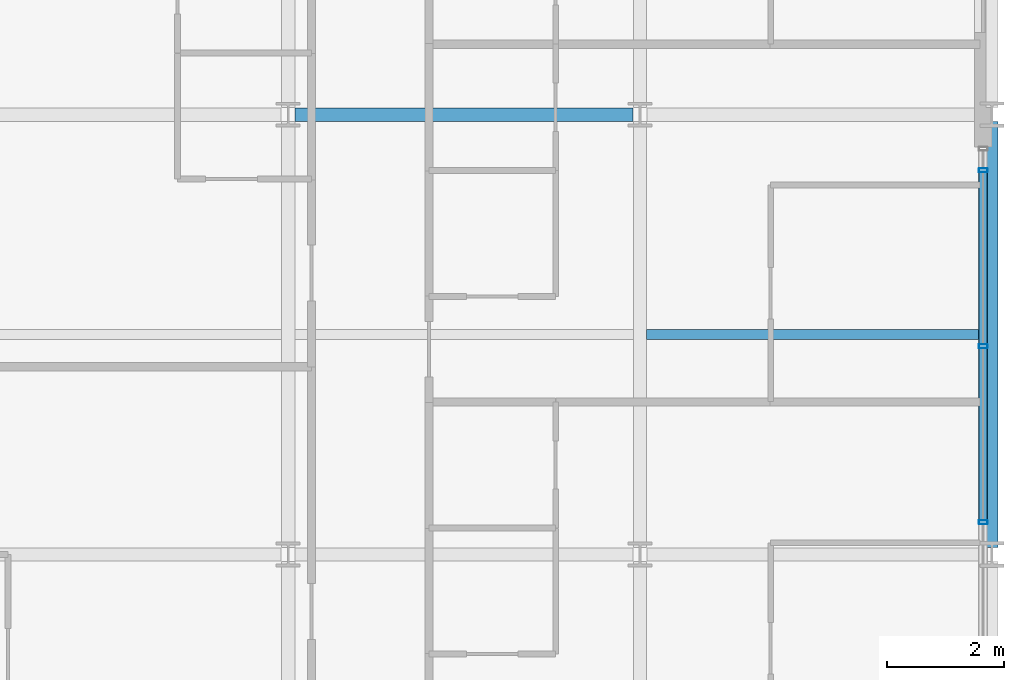
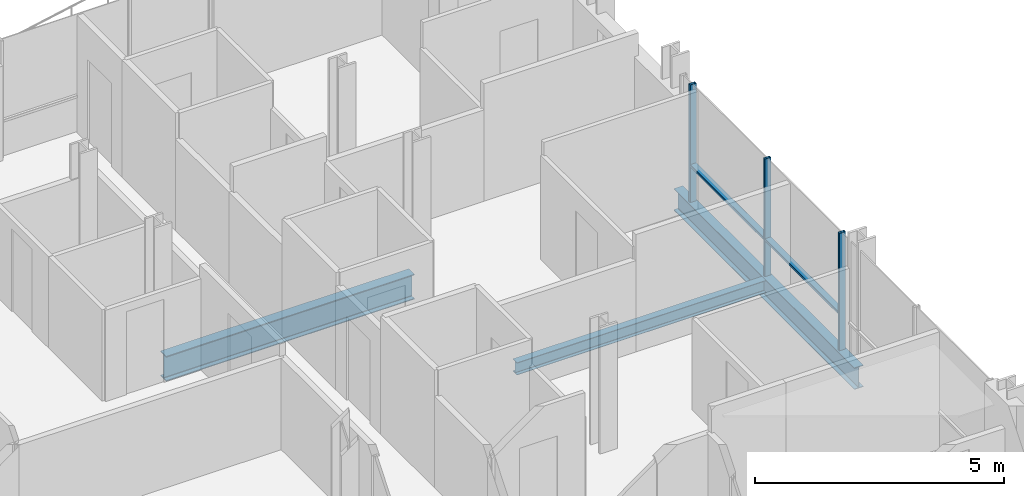
# One storey, part 19 of 41: 5 members, 3 beams, 1 element without a shape of its own.
"""IFC4 building model written with IfcOpenShell, lengths in metres."""

from ifc_helpers import new_model, si_unit, direction, frame, origin, origin_2d, place, context, subcontext, project, spatial, hollow_rectangle, i_section, extrude, material, layer, layer_set, material_profile, profile_set, type_object, element, aggregate, save


model = new_model("IFC4")

# Units and contexts
model_context = context("Model", 3, precision=1e-05, world=origin(), true_north=direction((0.0, 1.0)))
body_context = subcontext(model_context, "Body", "Model", "MODEL_VIEW")
ifc_project = project(units=[si_unit("LENGTHUNIT", "METRE"), si_unit("AREAUNIT", "SQUARE_METRE"), si_unit("VOLUMEUNIT", "CUBIC_METRE"), si_unit("PLANEANGLEUNIT", "RADIAN"), si_unit("MASSUNIT", "GRAM", prefix="KILO")], contexts=[model_context])

# Site, building, storey
site_placement = place(None, origin())
site = spatial("IfcSite", under=ifc_project, at=site_placement, CompositionType="ELEMENT")
building_placement = place(site_placement, origin())
building = spatial("IfcBuilding", under=site, at=building_placement, Name="Brevholm Reach", CompositionType="ELEMENT")
storey_placement = place(building_placement, frame((0.0, 0.0, 100.39990234375)))
storey = spatial("IfcBuildingStorey", under=building, at=storey_placement, Name="L29", CompositionType="ELEMENT", Elevation=100.39990234375)

# Beams
ifc_material_1 = material(Name="Structural Steel S355J2", Category="steel")
ifc_material_profile_1 = material_profile(ifc_material_1, i_section(OverallWidth=0.1650390625, OverallDepth=0.303466796875, WebThickness=0.006103515625, FlangeThickness=0.01025390625, FilletRadius=0.0087890625, at=origin_2d()), Name="UKB 305x165x40")
ifc_profile_set_1 = profile_set([ifc_material_profile_1], Name="Structural Steel S355J2")
beam_type_1 = type_object("IfcBeamType", Name="BM-B305", PredefinedType="BEAM", material=ifc_profile_set_1)
beam_1_placement = place(storey_placement, frame((54.114501953125, 19.75, -0.37158203125), z_axis=(1.0, 0.0, 0.0), x_axis=(0.0, 1.0, 0.0)))
element("IfcBeam", 1, at=beam_1_placement, inside=storey, type_object=beam_type_1, Name="L29 Composite Secondary Floor Beam", PredefinedType="BEAM", context=body_context, shape_type="SweptSolid", body=[
    extrude(i_section(OverallWidth=0.1650390625, OverallDepth=0.303466796875, WebThickness=0.006103515625, FlangeThickness=0.01025390625, FilletRadius=0.0087890625, at=origin_2d()), origin(), (0.0, 0.0, 1.0), 5.78076171875),
])
ifc_material_2 = material(Name="Structural Steel S355J2", Category="steel")
ifc_material_profile_2 = material_profile(ifc_material_2, i_section(OverallWidth=0.209228515625, OverallDepth=0.533203125, WebThickness=0.010009765625, FlangeThickness=0.015625, FilletRadius=0.0126953125, at=origin_2d()), Name="UKB 533x210x92")
ifc_profile_set_2 = profile_set([ifc_material_profile_2], Name="Structural Steel S355J2")
beam_type_2 = type_object("IfcBeamType", Name="BM-SP533", PredefinedType="SPANDREL", material=ifc_profile_set_2)
beam_2_placement = place(storey_placement, frame((60.0, 16.1201171875, -0.486572265625), z_axis=(0.0, 1.0, 0.0), x_axis=(-1.0, 0.0, 0.0)))
element("IfcBeam", 2, at=beam_2_placement, inside=storey, type_object=beam_type_2, Name="L29 SP-02 Framing Beam", PredefinedType="SPANDREL", context=body_context, shape_type="SweptSolid", body=[
    extrude(i_section(OverallWidth=0.209228515625, OverallDepth=0.533203125, WebThickness=0.010009765625, FlangeThickness=0.015625, FilletRadius=0.0126953125, at=origin_2d()), origin(), (0.0, 0.0, 1.0), 7.259765625),
])
ifc_material_3 = material(Name="Structural Steel S355J2", Category="steel")
ifc_material_profile_3 = material_profile(ifc_material_3, i_section(OverallWidth=0.22900390625, OverallDepth=0.6123046875, WebThickness=0.011962890625, FlangeThickness=0.01953125, FilletRadius=0.0126953125, at=origin_2d()), Name="UKB 610x229x125")
ifc_profile_set_3 = profile_set([ifc_material_profile_3], Name="Structural Steel S355J2")
beam_type_3 = type_object("IfcBeamType", Name="BM-SP610", PredefinedType="SPANDREL", material=ifc_profile_set_3)
beam_3_placement = place(storey_placement, frame((48.1201171875, 23.5, -0.526123046875), z_axis=(1.0, 0.0, 0.0), x_axis=(0.0, 1.0, 0.0)))
element("IfcBeam", 3, at=beam_3_placement, inside=storey, type_object=beam_type_3, Name="L29 SP-01 Framing Beam", PredefinedType="SPANDREL", context=body_context, shape_type="SweptSolid", body=[
    extrude(i_section(OverallWidth=0.22900390625, OverallDepth=0.6123046875, WebThickness=0.011962890625, FlangeThickness=0.01953125, FilletRadius=0.0126953125, at=origin_2d()), origin(), (0.0, 0.0, 1.0), 5.759765625),
])

# Curtain wall, members
ifc_material_4 = material(Name="Dark Anodised Aluminium 6063-T6 and Solar-Control Glass", Category="aluminium")
ifc_layer = layer(ifc_material_4, 0.14990234375)
ifc_layer_set = layer_set([ifc_layer], Name="Dark Anodised Aluminium 6063-T6 and Solar-Control Glass")
curtain_wall_type = type_object("IfcCurtainWallType", Name="CW-01", PredefinedType="NOTDEFINED", material=ifc_layer_set)
curtain_wall_placement = place(storey_placement, origin())
curtain_wall = element("IfcCurtainWall", 4, at=curtain_wall_placement, inside=storey, type_object=curtain_wall_type, Name="L29 Curtain Wall CW-01", PredefinedType="NOTDEFINED")
ifc_material_5 = material(Name="Dark Anodised Aluminium 6063-T6", Category="aluminium")
ifc_material_profile_4 = material_profile(ifc_material_5, hollow_rectangle(XDim=0.06494140625, YDim=0.14990234375, WallThickness=0.0048828125, InnerFilletRadius=0.0048828125, OuterFilletRadius=0.010009765625, at=origin_2d()), Name="RHS 150x65x5")
ifc_profile_set_4 = profile_set([ifc_material_profile_4], Name="Dark Anodised Aluminium 6063-T6")
member_type_1 = type_object("IfcMemberType", Name="CWM-150", PredefinedType="MULLION", material=ifc_profile_set_4)
member_1_placement = place(storey_placement, frame((59.85009765625, 16.550048828125, 0.0), z_axis=(0.0, 0.0, 1.0), x_axis=(0.0, 1.0, 0.0)))
member_1 = element("IfcMember", 5, at=member_1_placement, type_object=member_type_1, Name="CM-150 Mullion 3", PredefinedType="MULLION", context=body_context, shape_type="SweptSolid", body=[
    extrude(hollow_rectangle(XDim=0.06494140625, YDim=0.14990234375, WallThickness=0.0048828125, InnerFilletRadius=0.0048828125, OuterFilletRadius=0.010009765625, at=origin_2d()), origin(), (0.0, 0.0, 1.0), 2.880126953125),
])
member_2_placement = place(storey_placement, frame((59.85009765625, 19.550048828125, 0.0), z_axis=(0.0, 0.0, 1.0), x_axis=(0.0, 1.0, 0.0)))
member_2 = element("IfcMember", 6, at=member_2_placement, type_object=member_type_1, Name="CM-150 Mullion 4", PredefinedType="MULLION", context=body_context, shape_type="SweptSolid", body=[
    extrude(hollow_rectangle(XDim=0.06494140625, YDim=0.14990234375, WallThickness=0.0048828125, InnerFilletRadius=0.0048828125, OuterFilletRadius=0.010009765625, at=origin_2d()), origin(), (0.0, 0.0, 1.0), 2.880126953125),
])
member_3_placement = place(storey_placement, frame((59.85009765625, 22.550048828125, 0.0), z_axis=(0.0, 0.0, 1.0), x_axis=(0.0, 1.0, 0.0)))
member_3 = element("IfcMember", 7, at=member_3_placement, type_object=member_type_1, Name="CM-150 Mullion 5", PredefinedType="MULLION", context=body_context, shape_type="SweptSolid", body=[
    extrude(hollow_rectangle(XDim=0.06494140625, YDim=0.14990234375, WallThickness=0.0048828125, InnerFilletRadius=0.0048828125, OuterFilletRadius=0.010009765625, at=origin_2d()), origin(), (0.0, 0.0, 1.0), 2.880126953125),
])
ifc_material_6 = material(Name="Dark Anodised Aluminium 6063-T6", Category="aluminium")
ifc_material_profile_5 = material_profile(ifc_material_6, hollow_rectangle(XDim=0.06494140625, YDim=0.14990234375, WallThickness=0.0048828125, InnerFilletRadius=0.0048828125, OuterFilletRadius=0.010009765625, at=origin_2d()), Name="RHS 150x65x5")
ifc_profile_set_5 = profile_set([ifc_material_profile_5], Name="Dark Anodised Aluminium 6063-T6")
member_type_2 = type_object("IfcMemberType", Name="CWT-150", PredefinedType="NOTDEFINED", material=ifc_profile_set_5)
member_4_placement = place(storey_placement, frame((59.85009765625, 16.58251953125, 0.900146484375), z_axis=(0.0, 1.0, 0.0), x_axis=(0.0, 0.0, 1.0)))
member_4 = element("IfcMember", 8, at=member_4_placement, type_object=member_type_2, Name="CT-150 Transom 3.1", ObjectType="TRANSOM", PredefinedType="USERDEFINED", context=body_context, shape_type="SweptSolid", body=[
    extrude(hollow_rectangle(XDim=0.06494140625, YDim=0.14990234375, WallThickness=0.0048828125, InnerFilletRadius=0.0048828125, OuterFilletRadius=0.010009765625, at=origin_2d()), origin(), (0.0, 0.0, 1.0), 2.93505859375),
])
member_5_placement = place(storey_placement, frame((59.85009765625, 19.58251953125, 0.900146484375), z_axis=(0.0, 1.0, 0.0), x_axis=(0.0, 0.0, 1.0)))
member_5 = element("IfcMember", 9, at=member_5_placement, type_object=member_type_2, Name="CT-150 Transom 4.1", ObjectType="TRANSOM", PredefinedType="USERDEFINED", context=body_context, shape_type="SweptSolid", body=[
    extrude(hollow_rectangle(XDim=0.06494140625, YDim=0.14990234375, WallThickness=0.0048828125, InnerFilletRadius=0.0048828125, OuterFilletRadius=0.010009765625, at=origin_2d()), origin(), (0.0, 0.0, 1.0), 2.93505859375),
])
aggregate(curtain_wall, [member_1, member_2, member_3, member_4, member_5])

save(model, "model.ifc")
